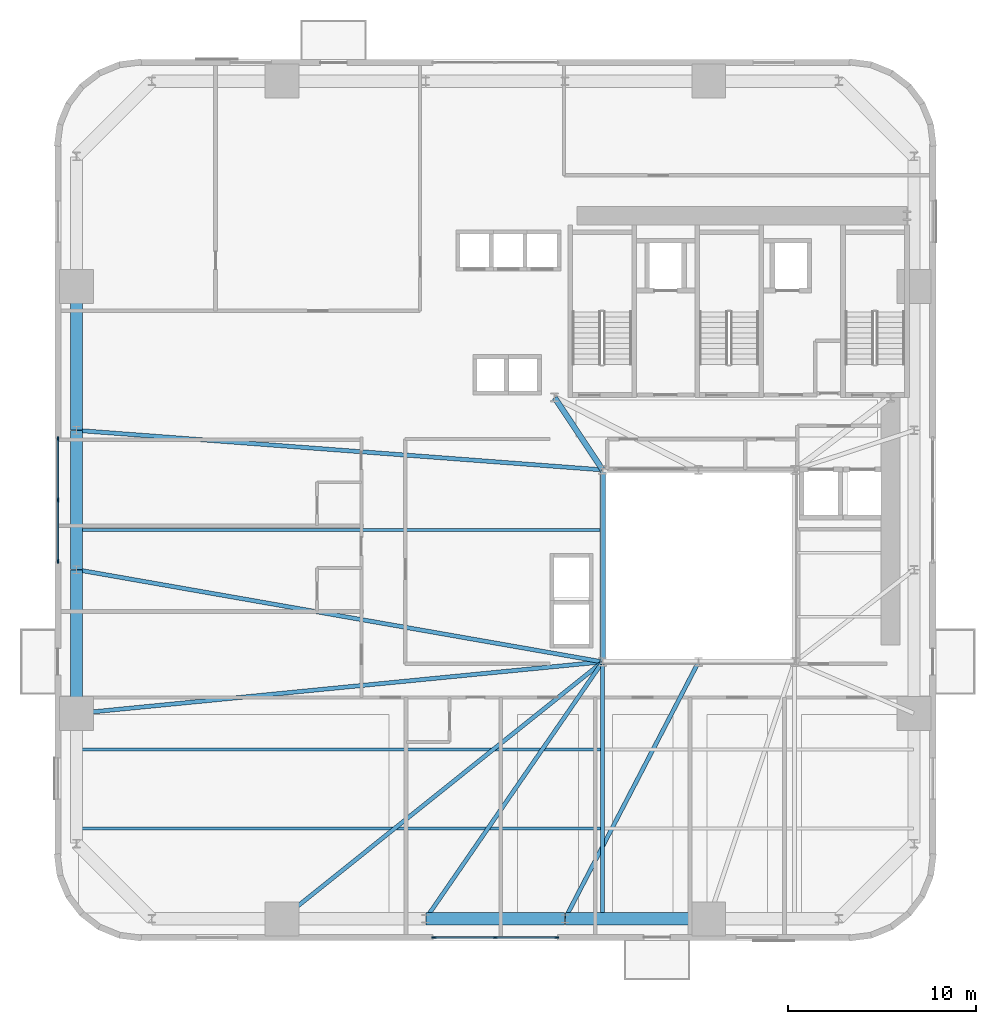
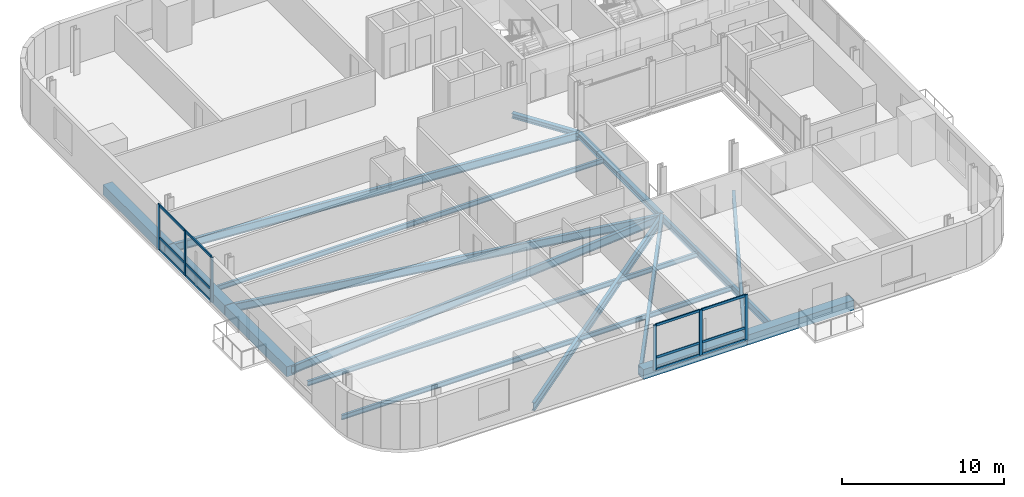
# One storey, part 2 of 13: 18 members, 17 beams, 2 elements without a shape of their own.
"""IFC4 building model written with IfcOpenShell, lengths in metres."""

from ifc_helpers import new_model, si_unit, direction, frame, origin, origin_2d, place, context, subcontext, project, spatial, rectangle, i_section, extrude, source, transform, mapped, material, material_profile, profile_set, type_object, element, aggregate, save


model = new_model("IFC4")

# Units and contexts
model_context = context("Model", 3, precision=1e-05, world=origin(), true_north=direction((0.0, 1.0)))
body_context = subcontext(model_context, "Body", "Model", "MODEL_VIEW")
ifc_project = project(units=[si_unit("LENGTHUNIT", "METRE"), si_unit("AREAUNIT", "SQUARE_METRE"), si_unit("VOLUMEUNIT", "CUBIC_METRE"), si_unit("PLANEANGLEUNIT", "RADIAN"), si_unit("MASSUNIT", "GRAM", prefix="KILO")], contexts=[model_context])

# Site, building, storey
site_placement = place(None, origin())
site = spatial("IfcSite", under=ifc_project, at=site_placement, CompositionType="ELEMENT")
building_placement = place(site_placement, origin())
building = spatial("IfcBuilding", under=site, at=building_placement, Name="Vardaveli Station Tower", CompositionType="ELEMENT")
storey_placement = place(building_placement, frame((0.0, 0.0, 38.550048828125)))
storey = spatial("IfcBuildingStorey", under=building, at=storey_placement, Name="L09", CompositionType="ELEMENT", Elevation=38.550048828125)

# Beams
ifc_material_1 = material(Name="Structural steel S355J2", Category="steel")
ifc_material_profile_1 = material_profile(ifc_material_1, i_section(OverallWidth=0.300048828125, OverallDepth=0.449951171875, WebThickness=0.013916015625, FlangeThickness=0.02587890625, FilletRadius=0.027099609375, at=origin_2d()), Name="HEB 450")
ifc_profile_set_1 = profile_set([ifc_material_profile_1], Name="Structural steel S355J2")
beam_type_1 = type_object("IfcBeamType", Name="BM-HEB450", PredefinedType="BEAM", material=ifc_profile_set_1)
shared_shape_1 = source(origin(), body_context, "Body", "SweptSolid", [
    extrude(i_section(OverallWidth=0.300048828125, OverallDepth=0.449951171875, WebThickness=0.013916015625, FlangeThickness=0.02587890625, FilletRadius=0.027099609375, at=origin_2d()), origin(), (0.0, 0.0, 1.0), 10.159912109375),
])
beam_1_placement = place(storey_placement, frame((31.199951171875, 26.780029296875, -0.465087890625), z_axis=(0.0, -1.0, 0.0), x_axis=(1.0, 0.0, 0.0)))
element("IfcBeam", 1, at=beam_1_placement, inside=storey, type_object=beam_type_1, Name="ABM-L09-06", PredefinedType="BEAM", context=body_context, shape_type="MappedRepresentation", body=[
    mapped(shared_shape_1, transform((0.0, 0.0, 0.0), scale=1.0)),
])
ifc_material_profile_2 = material_profile(ifc_material_1, i_section(OverallWidth=0.300048828125, OverallDepth=0.360107421875, WebThickness=0.012451171875, FlangeThickness=0.0224609375, FilletRadius=0.027099609375, at=origin_2d()), Name="HEB 360")
ifc_profile_set_2 = profile_set([ifc_material_profile_2], Name="Structural steel S355J2")
beam_type_2 = type_object("IfcBeamType", Name="BM-HEB360", PredefinedType="BEAM", material=ifc_profile_set_2)
shared_shape_2 = source(origin(), body_context, "Body", "SweptSolid", [
    extrude(i_section(OverallWidth=0.300048828125, OverallDepth=0.360107421875, WebThickness=0.012451171875, FlangeThickness=0.0224609375, FilletRadius=0.027099609375, at=origin_2d()), origin(), (0.0, 0.0, 1.0), 4.577880859375),
])
beam_2_placement = place(storey_placement, frame((31.18896484375, 26.816650390625, -0.420166015625), z_axis=(-0.55218702139, 0.833720272879, 0.0), x_axis=(-0.833720272879, -0.55218702139, 0.0)))
element("IfcBeam", 2, at=beam_2_placement, inside=storey, type_object=beam_type_2, Name="CBM-L09-01", PredefinedType="BEAM", context=body_context, shape_type="MappedRepresentation", body=[
    mapped(shared_shape_2, transform((0.0, 0.0, 0.0), scale=1.0)),
])
ifc_material_2 = material(Name="Precast concrete C45/55", Category="concrete")
ifc_material_profile_3 = material_profile(ifc_material_2, rectangle(XDim=0.64990234375, YDim=0.75, at=origin_2d()), Name="LPB 650x750")
ifc_profile_set_3 = profile_set([ifc_material_profile_3], Name="Precast concrete C45/55")
beam_type_3 = type_object("IfcBeamType", Name="BM-LPB-750", PredefinedType="BEAM", material=ifc_profile_set_3)
shared_shape_3 = source(origin(), body_context, "Body", "SweptSolid", [
    extrude(rectangle(XDim=0.64990234375, YDim=0.75, at=origin_2d()), origin(), (0.0, 0.0, 1.0), 7.60009765625),
])
for number, where, z_axis, x_axis, name in (
    (3, (29.219970703125, 2.949951171875, -0.614990234375), (1.0, 0.0, 0.0), (0.0, 1.0, 0.0), "RBM-L09-03"),
    (4, (3.25, 36.52001953125, -0.614990234375), (0.0, -1.0, 0.0), (1.0, 0.0, 0.0), "RBM-L09-19"),
    (5, (3.25, 21.47998046875, -0.614990234375), (0.0, -1.0, 0.0), (1.0, 0.0, 0.0), "RBM-L09-21"),
):
    element("IfcBeam", number, at=place(storey_placement, frame(where, z_axis=z_axis, x_axis=x_axis)), inside=storey, type_object=beam_type_3, Name=name, PredefinedType="BEAM", context=body_context, shape_type="MappedRepresentation", body=[
        mapped(shared_shape_3, transform((0.0, 0.0, 0.0), scale=1.0)),
    ])
shared_shape_4 = source(origin(), body_context, "Body", "SweptSolid", [
    extrude(rectangle(XDim=0.64990234375, YDim=0.75, at=origin_2d()), origin(), (0.0, 0.0, 1.0), 7.35986328125),
])
for number, where, z_axis, x_axis, name in (
    (6, (21.820068359375, 2.949951171875, -0.614990234375), (1.0, 0.0, 0.0), (0.0, 1.0, 0.0), "RBM-L09-02"),
    (7, (3.25, 28.8798828125, -0.614990234375), (0.0, -1.0, 0.0), (1.0, 0.0, 0.0), "RBM-L09-20"),
):
    element("IfcBeam", number, at=place(storey_placement, frame(where, z_axis=z_axis, x_axis=x_axis)), inside=storey, type_object=beam_type_3, Name=name, PredefinedType="BEAM", context=body_context, shape_type="MappedRepresentation", body=[
        mapped(shared_shape_4, transform((0.0, 0.0, 0.0), scale=1.0)),
    ])
ifc_material_profile_4 = material_profile(ifc_material_1, i_section(OverallWidth=0.219970703125, OverallDepth=0.60009765625, WebThickness=0.011962890625, FlangeThickness=0.01904296875, FilletRadius=0.02392578125, at=origin_2d()), Name="IPE 600")
ifc_profile_set_4 = profile_set([ifc_material_profile_4], Name="Structural steel S355J2")
beam_type_4 = type_object("IfcBeamType", Name="BM-IPE600", PredefinedType="BEAM", material=ifc_profile_set_4)
shared_shape_5 = source(origin(), body_context, "Body", "SweptSolid", [
    extrude(i_section(OverallWidth=0.219970703125, OverallDepth=0.60009765625, WebThickness=0.011962890625, FlangeThickness=0.01904296875, FilletRadius=0.02392578125, at=origin_2d()), origin(), (0.0, 0.0, 1.0), 21.793212890625),
])
beam_3_placement = place(storey_placement, frame((14.175537109375, 2.96240234375, -0.5400390625), z_axis=(0.780466445023, 0.625197671296, 0.0), x_axis=(-0.625197671296, 0.780466445023, 0.0)))
element("IfcBeam", 8, at=beam_3_placement, inside=storey, type_object=beam_type_4, Name="GBM-L09-01", PredefinedType="BEAM", context=body_context, shape_type="MappedRepresentation", body=[
    mapped(shared_shape_5, transform((0.0, 0.0, 0.0), scale=1.0)),
])
shared_shape_6 = source(origin(), body_context, "Body", "SweptSolid", [
    extrude(i_section(OverallWidth=0.219970703125, OverallDepth=0.60009765625, WebThickness=0.011962890625, FlangeThickness=0.01904296875, FilletRadius=0.02392578125, at=origin_2d()), origin(), (0.0, 0.0, 1.0), 16.533447265625),
])
beam_4_placement = place(storey_placement, frame((21.811279296875, 2.966552734375, -0.5400390625), z_axis=(0.567177272103, 0.823595739431, 0.0), x_axis=(-0.823595739431, 0.567177272103, 0.0)))
element("IfcBeam", 9, at=beam_4_placement, inside=storey, type_object=beam_type_4, Name="GBM-L09-02", PredefinedType="BEAM", context=body_context, shape_type="MappedRepresentation", body=[
    mapped(shared_shape_6, transform((0.0, 0.0, 0.0), scale=1.0)),
])
shared_shape_7 = source(origin(), body_context, "Body", "SweptSolid", [
    extrude(i_section(OverallWidth=0.219970703125, OverallDepth=0.60009765625, WebThickness=0.011962890625, FlangeThickness=0.01904296875, FilletRadius=0.02392578125, at=origin_2d()), origin(), (0.0, 0.0, 1.0), 15.34619140625),
])
beam_5_placement = place(storey_placement, frame((29.209228515625, 2.9677734375, -0.5400390625), z_axis=(0.461455420507, 0.887163398075, 0.0), x_axis=(-0.887163398075, 0.461455420507, 0.0)))
element("IfcBeam", 10, at=beam_5_placement, inside=storey, type_object=beam_type_4, Name="GBM-L09-03", PredefinedType="BEAM", context=body_context, shape_type="MappedRepresentation", body=[
    mapped(shared_shape_7, transform((0.0, 0.0, 0.0), scale=1.0)),
])
shared_shape_8 = source(origin(), body_context, "Body", "SweptSolid", [
    extrude(i_section(OverallWidth=0.219970703125, OverallDepth=0.60009765625, WebThickness=0.011962890625, FlangeThickness=0.01904296875, FilletRadius=0.02392578125, at=origin_2d()), origin(), (0.0, 0.0, 1.0), 27.98876953125),
])
beam_6_placement = place(storey_placement, frame((3.27001953125, 28.8984375, -0.5400390625), z_axis=(0.99718954315, -0.074920057611, 0.0), x_axis=(0.074920057611, 0.99718954315, 0.0)))
element("IfcBeam", 11, at=beam_6_placement, inside=storey, type_object=beam_type_4, Name="GBM-L09-08", PredefinedType="BEAM", context=body_context, shape_type="MappedRepresentation", body=[
    mapped(shared_shape_8, transform((0.0, 0.0, 0.0), scale=1.0)),
])
shared_shape_9 = source(origin(), body_context, "Body", "SweptSolid", [
    extrude(i_section(OverallWidth=0.219970703125, OverallDepth=0.60009765625, WebThickness=0.011962890625, FlangeThickness=0.01904296875, FilletRadius=0.02392578125, at=origin_2d()), origin(), (0.0, 0.0, 1.0), 28.33642578125),
])
beam_7_placement = place(storey_placement, frame((3.269775390625, 21.49658203125, -0.5400390625), z_axis=(0.984978267336, -0.172678350921, 0.0), x_axis=(0.172678350921, 0.984978267336, 0.0)))
element("IfcBeam", 12, at=beam_7_placement, inside=storey, type_object=beam_type_4, Name="GBM-L09-09", PredefinedType="BEAM", context=body_context, shape_type="MappedRepresentation", body=[
    mapped(shared_shape_9, transform((0.0, 0.0, 0.0), scale=1.0)),
])
shared_shape_10 = source(origin(), body_context, "Body", "SweptSolid", [
    extrude(i_section(OverallWidth=0.219970703125, OverallDepth=0.60009765625, WebThickness=0.011962890625, FlangeThickness=0.01904296875, FilletRadius=0.02392578125, at=origin_2d()), origin(), (0.0, 0.0, 1.0), 28.0439453125),
])
beam_8_placement = place(storey_placement, frame((3.27001953125, 13.862060546875, -0.5400390625), z_axis=(0.995229237856, 0.097564153855, 0.0), x_axis=(-0.097564153855, 0.995229237856, 0.0)))
element("IfcBeam", 13, at=beam_8_placement, inside=storey, type_object=beam_type_4, Name="GBM-L09-10", PredefinedType="BEAM", context=body_context, shape_type="MappedRepresentation", body=[
    mapped(shared_shape_10, transform((0.0, 0.0, 0.0), scale=1.0)),
])
ifc_material_profile_5 = material_profile(ifc_material_1, i_section(OverallWidth=0.2099609375, OverallDepth=0.550048828125, WebThickness=0.010986328125, FlangeThickness=0.01708984375, FilletRadius=0.02392578125, at=origin_2d()), Name="IPE 550")
ifc_profile_set_5 = profile_set([ifc_material_profile_5], Name="Structural steel S355J2")
beam_type_5 = type_object("IfcBeamType", Name="BM-IPE550", PredefinedType="BEAM", material=ifc_profile_set_5)
shared_shape_11 = source(origin(), body_context, "Body", "SweptSolid", [
    extrude(i_section(OverallWidth=0.2099609375, OverallDepth=0.550048828125, WebThickness=0.010986328125, FlangeThickness=0.01708984375, FilletRadius=0.02392578125, at=origin_2d()), origin(), (0.0, 0.0, 1.0), 13.469970703125),
])
beam_9_placement = place(storey_placement, frame((31.199951171875, 2.989990234375, -0.51513671875), z_axis=(0.0, 1.0, 0.0), x_axis=(-1.0, 0.0, 0.0)))
element("IfcBeam", 14, at=beam_9_placement, inside=storey, type_object=beam_type_5, Name="NSM-L09-S1", PredefinedType="BEAM", context=body_context, shape_type="MappedRepresentation", body=[
    mapped(shared_shape_11, transform((0.0, 0.0, 0.0), scale=1.0)),
])
ifc_material_profile_6 = material_profile(ifc_material_1, i_section(OverallWidth=0.169921875, OverallDepth=0.360107421875, WebThickness=0.008056640625, FlangeThickness=0.0126953125, FilletRadius=0.01806640625, at=origin_2d()), Name="IPE 360")
ifc_profile_set_6 = profile_set([ifc_material_profile_6], Name="Structural steel S355J2")
beam_type_6 = type_object("IfcBeamType", Name="BM-IPE360", PredefinedType="JOIST", material=ifc_profile_set_6)
shared_shape_12 = source(origin(), body_context, "Body", "SweptSolid", [
    extrude(i_section(OverallWidth=0.169921875, OverallDepth=0.360107421875, WebThickness=0.008056640625, FlangeThickness=0.0126953125, FilletRadius=0.01806640625, at=origin_2d()), origin(), (0.0, 0.0, 1.0), 27.7978515625),
])
for number, where, z_axis, x_axis, name in (
    (15, (3.2900390625, 7.75, -0.420166015625), (1.0, 0.0, 0.0), (0.0, 1.0, 0.0), "SJ-L09-S01"),
    (16, (3.2900390625, 11.949951171875, -0.420166015625), (1.0, 0.0, 0.0), (0.0, 1.0, 0.0), "SJ-L09-S04"),
    (17, (3.2900390625, 23.60009765625, -0.420166015625), (1.0, 0.0, 0.0), (0.0, 1.0, 0.0), "SJ-L09-W08"),
):
    element("IfcBeam", number, at=place(storey_placement, frame(where, z_axis=z_axis, x_axis=x_axis)), inside=storey, type_object=beam_type_6, Name=name, PredefinedType="JOIST", context=body_context, shape_type="MappedRepresentation", body=[
        mapped(shared_shape_12, transform((0.0, 0.0, 0.0), scale=1.0)),
    ])

# Curtain wall, members
ifc_material_3 = material(Name="Travertine stone and solar-control glass", Category="masonry")
curtain_wall_type = type_object("IfcCurtainWallType", Name="CW-SYS-2", PredefinedType="NOTDEFINED", material=ifc_material_3)
curtain_wall_1_placement = place(storey_placement, origin())
curtain_wall_1 = element("IfcCurtainWall", 18, at=curtain_wall_1_placement, inside=storey, type_object=curtain_wall_type, Name="CW-L09-S", PredefinedType="NOTDEFINED")
ifc_material_4 = material(Name="Anodised aluminium alloy 6063-T6", Category="aluminium")
ifc_material_profile_7 = material_profile(ifc_material_4, rectangle(XDim=0.0849609375, YDim=0.219970703125, at=origin_2d()), Name="CWM 85x220")
ifc_profile_set_7 = profile_set([ifc_material_profile_7], Name="Anodised aluminium alloy 6063-T6")
member_type_1 = type_object("IfcMemberType", Name="CW-SYS-2-MULL", PredefinedType="MULLION", material=ifc_profile_set_7)
shared_shape_13 = source(origin(), body_context, "Body", "SweptSolid", [
    extrude(rectangle(XDim=0.0849609375, YDim=0.219970703125, at=origin_2d()), origin(), (0.0, 0.0, 1.0), 3.409912109375),
])
member_1_placement = place(storey_placement, frame((22.242431640625, 1.9599609375, 0.0), z_axis=(0.0, 0.0, 1.0), x_axis=(0.0, 1.0, 0.0)))
member_1 = element("IfcMember", 19, at=member_1_placement, type_object=member_type_1, Name="CW-2 mullion 1", PredefinedType="MULLION", context=body_context, shape_type="MappedRepresentation", body=[
    mapped(shared_shape_13, transform((0.0, 0.0, 0.0), scale=1.0)),
])
member_2_placement = place(storey_placement, frame((25.5, 1.9599609375, 0.0), z_axis=(0.0, 0.0, 1.0), x_axis=(0.0, 1.0, 0.0)))
member_2 = element("IfcMember", 20, at=member_2_placement, type_object=member_type_1, Name="CW-2 mullion 2", PredefinedType="MULLION", context=body_context, shape_type="MappedRepresentation", body=[
    mapped(shared_shape_13, transform((0.0, 0.0, 0.0), scale=1.0)),
])
member_3_placement = place(storey_placement, frame((28.757568359375, 1.9599609375, 0.0), z_axis=(0.0, 0.0, 1.0), x_axis=(0.0, 1.0, 0.0)))
member_3 = element("IfcMember", 21, at=member_3_placement, type_object=member_type_1, Name="CW-2 mullion 3", PredefinedType="MULLION", context=body_context, shape_type="MappedRepresentation", body=[
    mapped(shared_shape_13, transform((0.0, 0.0, 0.0), scale=1.0)),
])

curtain_wall_2_placement = place(storey_placement, origin())
curtain_wall_2 = element("IfcCurtainWall", 22, at=curtain_wall_2_placement, inside=storey, type_object=curtain_wall_type, Name="CW-L09-W", PredefinedType="NOTDEFINED")
member_4_placement = place(storey_placement, frame((2.260009765625, 28.45751953125, 0.0), z_axis=(0.0, 0.0, 1.0), x_axis=(1.0, 0.0, 0.0)))
member_4 = element("IfcMember", 23, at=member_4_placement, type_object=member_type_1, Name="CW-2 mullion 1", PredefinedType="MULLION", context=body_context, shape_type="MappedRepresentation", body=[
    mapped(shared_shape_13, transform((0.0, 0.0, 0.0), scale=1.0)),
])
member_5_placement = place(storey_placement, frame((2.260009765625, 25.199951171875, 0.0), z_axis=(0.0, 0.0, 1.0), x_axis=(1.0, 0.0, 0.0)))
member_5 = element("IfcMember", 24, at=member_5_placement, type_object=member_type_1, Name="CW-2 mullion 2", PredefinedType="MULLION", context=body_context, shape_type="MappedRepresentation", body=[
    mapped(shared_shape_13, transform((0.0, 0.0, 0.0), scale=1.0)),
])
member_6_placement = place(storey_placement, frame((2.260009765625, 21.9423828125, 0.0), z_axis=(0.0, 0.0, 1.0), x_axis=(1.0, 0.0, 0.0)))
member_6 = element("IfcMember", 25, at=member_6_placement, type_object=member_type_1, Name="CW-2 mullion 3", PredefinedType="MULLION", context=body_context, shape_type="MappedRepresentation", body=[
    mapped(shared_shape_13, transform((0.0, 0.0, 0.0), scale=1.0)),
])

# Member
ifc_material_profile_8 = material_profile(ifc_material_4, rectangle(XDim=0.0849609375, YDim=0.179931640625, at=origin_2d()), Name="CWT 85x180")
ifc_profile_set_8 = profile_set([ifc_material_profile_8], Name="Anodised aluminium alloy 6063-T6")
member_type_2 = type_object("IfcMemberType", Name="CW-SYS-2-TRAN", PredefinedType="NOTDEFINED", material=ifc_profile_set_8)
shared_shape_14 = source(origin(), body_context, "Body", "SweptSolid", [
    extrude(rectangle(XDim=0.0849609375, YDim=0.179931640625, at=origin_2d()), origin(), (0.0, 0.0, 1.0), 3.172607421875),
])
member_7_placement = place(storey_placement, frame((22.284912109375, 1.9599609375, 0.04248046875), z_axis=(1.0, 0.0, 0.0), x_axis=(0.0, 1.0, 0.0)))
member_7 = element("IfcMember", 26, at=member_7_placement, type_object=member_type_2, Name="CW-2 transom 1.1", ObjectType="TRANSOM", PredefinedType="USERDEFINED", context=body_context, shape_type="MappedRepresentation", body=[
    mapped(shared_shape_14, transform((0.0, 0.0, 0.0), scale=1.0)),
])

member_8_placement = place(storey_placement, frame((22.284912109375, 1.9599609375, 0.949951171875), z_axis=(1.0, 0.0, 0.0), x_axis=(0.0, 1.0, 0.0)))
member_8 = element("IfcMember", 27, at=member_8_placement, type_object=member_type_2, Name="CW-2 transom 1.2", ObjectType="TRANSOM", PredefinedType="USERDEFINED", context=body_context, shape_type="MappedRepresentation", body=[
    mapped(shared_shape_14, transform((0.0, 0.0, 0.0), scale=1.0)),
])

member_9_placement = place(storey_placement, frame((22.284912109375, 1.9599609375, 3.367431640625), z_axis=(1.0, 0.0, 0.0), x_axis=(0.0, 1.0, 0.0)))
member_9 = element("IfcMember", 28, at=member_9_placement, type_object=member_type_2, Name="CW-2 transom 1.3", ObjectType="TRANSOM", PredefinedType="USERDEFINED", context=body_context, shape_type="MappedRepresentation", body=[
    mapped(shared_shape_14, transform((0.0, 0.0, 0.0), scale=1.0)),
])

member_10_placement = place(storey_placement, frame((25.54248046875, 1.9599609375, 0.04248046875), z_axis=(1.0, 0.0, 0.0), x_axis=(0.0, 1.0, 0.0)))
member_10 = element("IfcMember", 29, at=member_10_placement, type_object=member_type_2, Name="CW-2 transom 2.1", ObjectType="TRANSOM", PredefinedType="USERDEFINED", context=body_context, shape_type="MappedRepresentation", body=[
    mapped(shared_shape_14, transform((0.0, 0.0, 0.0), scale=1.0)),
])

member_11_placement = place(storey_placement, frame((25.54248046875, 1.9599609375, 0.949951171875), z_axis=(1.0, 0.0, 0.0), x_axis=(0.0, 1.0, 0.0)))
member_11 = element("IfcMember", 30, at=member_11_placement, type_object=member_type_2, Name="CW-2 transom 2.2", ObjectType="TRANSOM", PredefinedType="USERDEFINED", context=body_context, shape_type="MappedRepresentation", body=[
    mapped(shared_shape_14, transform((0.0, 0.0, 0.0), scale=1.0)),
])

member_12_placement = place(storey_placement, frame((25.54248046875, 1.9599609375, 3.367431640625), z_axis=(1.0, 0.0, 0.0), x_axis=(0.0, 1.0, 0.0)))
member_12 = element("IfcMember", 31, at=member_12_placement, type_object=member_type_2, Name="CW-2 transom 2.3", ObjectType="TRANSOM", PredefinedType="USERDEFINED", context=body_context, shape_type="MappedRepresentation", body=[
    mapped(shared_shape_14, transform((0.0, 0.0, 0.0), scale=1.0)),
])

aggregate(curtain_wall_1, [member_1, member_2, member_3, member_7, member_8, member_9, member_10, member_11, member_12])

member_13_placement = place(storey_placement, frame((2.260009765625, 28.4150390625, 0.04248046875), z_axis=(0.0, -1.0, 0.0), x_axis=(1.0, 0.0, 0.0)))
member_13 = element("IfcMember", 32, at=member_13_placement, type_object=member_type_2, Name="CW-2 transom 1.1", ObjectType="TRANSOM", PredefinedType="USERDEFINED", context=body_context, shape_type="MappedRepresentation", body=[
    mapped(shared_shape_14, transform((0.0, 0.0, 0.0), scale=1.0)),
])

member_14_placement = place(storey_placement, frame((2.260009765625, 28.4150390625, 0.949951171875), z_axis=(0.0, -1.0, 0.0), x_axis=(1.0, 0.0, 0.0)))
member_14 = element("IfcMember", 33, at=member_14_placement, type_object=member_type_2, Name="CW-2 transom 1.2", ObjectType="TRANSOM", PredefinedType="USERDEFINED", context=body_context, shape_type="MappedRepresentation", body=[
    mapped(shared_shape_14, transform((0.0, 0.0, 0.0), scale=1.0)),
])

member_15_placement = place(storey_placement, frame((2.260009765625, 28.4150390625, 3.367431640625), z_axis=(0.0, -1.0, 0.0), x_axis=(1.0, 0.0, 0.0)))
member_15 = element("IfcMember", 34, at=member_15_placement, type_object=member_type_2, Name="CW-2 transom 1.3", ObjectType="TRANSOM", PredefinedType="USERDEFINED", context=body_context, shape_type="MappedRepresentation", body=[
    mapped(shared_shape_14, transform((0.0, 0.0, 0.0), scale=1.0)),
])

shared_shape_15 = source(origin(), body_context, "Body", "SweptSolid", [
    extrude(rectangle(XDim=0.0849609375, YDim=0.179931640625, at=origin_2d()), origin(), (0.0, 0.0, 1.0), 3.17236328125),
])
member_16_placement = place(storey_placement, frame((2.260009765625, 25.157470703125, 0.04248046875), z_axis=(0.0, -1.0, 0.0), x_axis=(1.0, 0.0, 0.0)))
member_16 = element("IfcMember", 35, at=member_16_placement, type_object=member_type_2, Name="CW-2 transom 2.1", ObjectType="TRANSOM", PredefinedType="USERDEFINED", context=body_context, shape_type="MappedRepresentation", body=[
    mapped(shared_shape_15, transform((0.0, 0.0, 0.0), scale=1.0)),
])

member_17_placement = place(storey_placement, frame((2.260009765625, 25.157470703125, 0.949951171875), z_axis=(0.0, -1.0, 0.0), x_axis=(1.0, 0.0, 0.0)))
member_17 = element("IfcMember", 36, at=member_17_placement, type_object=member_type_2, Name="CW-2 transom 2.2", ObjectType="TRANSOM", PredefinedType="USERDEFINED", context=body_context, shape_type="MappedRepresentation", body=[
    mapped(shared_shape_15, transform((0.0, 0.0, 0.0), scale=1.0)),
])

member_18_placement = place(storey_placement, frame((2.260009765625, 25.157470703125, 3.367431640625), z_axis=(0.0, -1.0, 0.0), x_axis=(1.0, 0.0, 0.0)))
member_18 = element("IfcMember", 37, at=member_18_placement, type_object=member_type_2, Name="CW-2 transom 2.3", ObjectType="TRANSOM", PredefinedType="USERDEFINED", context=body_context, shape_type="MappedRepresentation", body=[
    mapped(shared_shape_15, transform((0.0, 0.0, 0.0), scale=1.0)),
])

aggregate(curtain_wall_2, [member_4, member_5, member_6, member_13, member_14, member_15, member_16, member_17, member_18])

save(model, "model.ifc")
